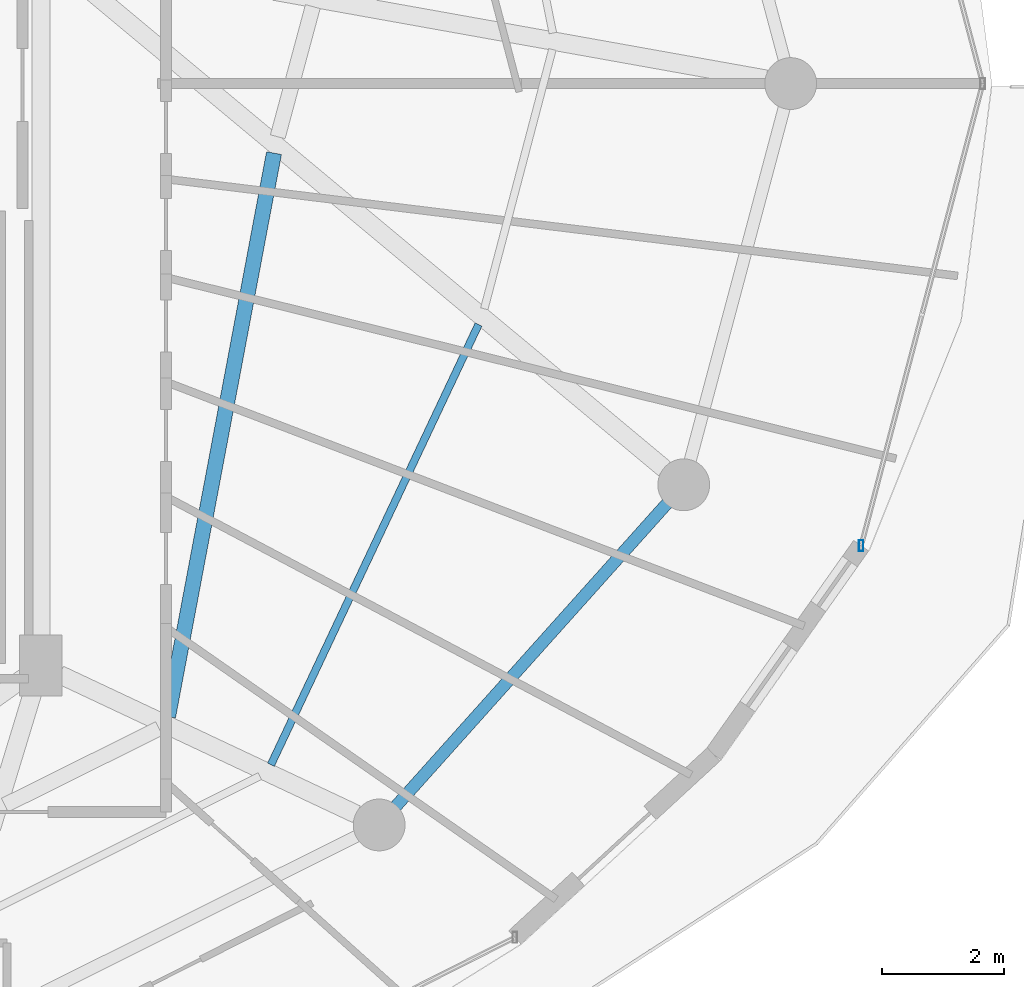
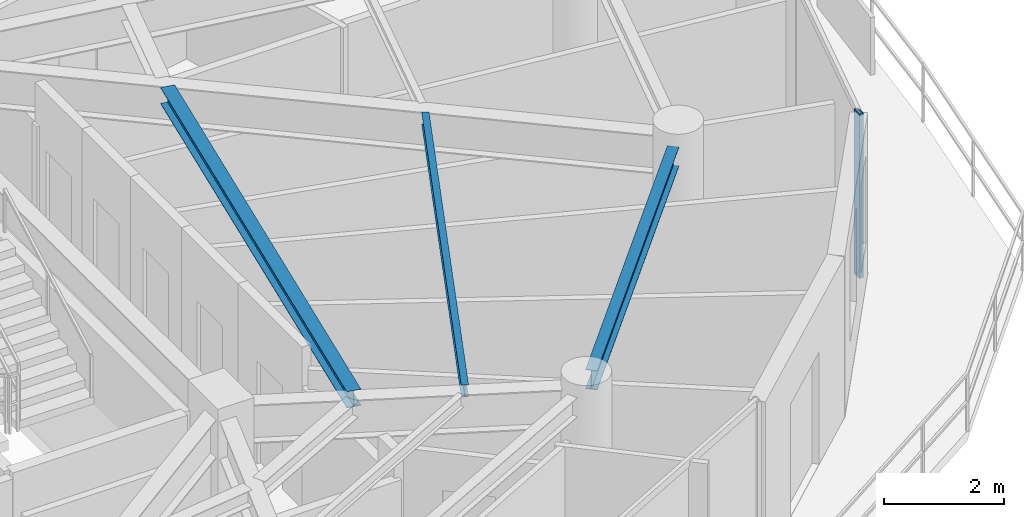
# One storey, part 12 of 29: 3 beams, 1 member, 1 element without a shape of its own.
"""IFC4 building model written with IfcOpenShell, lengths in metres."""

from ifc_helpers import new_model, si_unit, direction, frame, origin, origin_2d, place, context, subcontext, project, spatial, hollow_rectangle, i_section, extrude, material, material_profile, profile_set, type_object, element, aggregate, save


model = new_model("IFC4")

# Units and contexts
model_context = context("Model", 3, precision=1e-05, world=origin(), true_north=direction((0.0, 1.0)))
body_context = subcontext(model_context, "Body", "Model", "MODEL_VIEW")
ifc_project = project(units=[si_unit("LENGTHUNIT", "METRE"), si_unit("AREAUNIT", "SQUARE_METRE"), si_unit("VOLUMEUNIT", "CUBIC_METRE"), si_unit("PLANEANGLEUNIT", "RADIAN"), si_unit("MASSUNIT", "GRAM", prefix="KILO")], contexts=[model_context])

# Site, building, storey
site_placement = place(None, origin())
site = spatial("IfcSite", under=ifc_project, at=site_placement, CompositionType="ELEMENT")
building_placement = place(site_placement, origin())
building = spatial("IfcBuilding", under=site, at=building_placement, Name="Vorneva Point Tower", CompositionType="ELEMENT")
storey_placement = place(building_placement, frame((0.0, 0.0, 255.550048828125)))
storey = spatial("IfcBuildingStorey", under=building, at=storey_placement, Name="L69", CompositionType="ELEMENT", Elevation=255.550048828125)

# Beams
ifc_material_1 = material(Name="Steel S355", Category="steel")
ifc_material_profile_1 = material_profile(ifc_material_1, i_section(OverallWidth=0.1240234375, OverallDepth=0.248046875, WebThickness=0.0048828125, FlangeThickness=0.008056640625, at=origin_2d()), Name="25B1")
ifc_profile_set_1 = profile_set([ifc_material_profile_1], Name="Steel S355")
beam_type_1 = type_object("IfcBeamType", Name="BM-JST-25B1", PredefinedType="JOIST", material=ifc_profile_set_1)
beam_1_placement = place(storey_placement, frame((52.523681640625, 14.825927734375, 3.166015625), z_axis=(0.426534668543, 0.904471213766, 0.0), x_axis=(-0.904471213766, 0.426534668543, 0.0)))
element("IfcBeam", 1, at=beam_1_placement, inside=storey, type_object=beam_type_1, Name="L69 Secondary Floor Beam 1.15", PredefinedType="JOIST", context=body_context, shape_type="SweptSolid", body=[
    extrude(i_section(OverallWidth=0.1240234375, OverallDepth=0.248046875, WebThickness=0.0048828125, FlangeThickness=0.008056640625, at=origin_2d()), origin(), (0.0, 0.0, 1.0), 7.984130859375),
])
ifc_material_profile_2 = material_profile(ifc_material_1, i_section(OverallWidth=0.2490234375, OverallDepth=0.333984375, WebThickness=0.008056640625, FlangeThickness=0.010986328125, at=origin_2d()), Name="35Sh1")
ifc_profile_set_2 = profile_set([ifc_material_profile_2], Name="Steel S355")
beam_type_2 = type_object("IfcBeamType", Name="BM-SEC-35Sh1", PredefinedType="BEAM", material=ifc_profile_set_2)
beam_2_placement = place(storey_placement, frame((50.83544921875, 15.615966796875, 3.123046875), z_axis=(0.184830813221, 0.982770354907, 0.0), x_axis=(-0.982770354907, 0.184830813221, 0.0)))
element("IfcBeam", 2, at=beam_2_placement, inside=storey, type_object=beam_type_2, Name="L69 Secondary Floor Beam 2.15", PredefinedType="BEAM", context=body_context, shape_type="SweptSolid", body=[
    extrude(i_section(OverallWidth=0.2490234375, OverallDepth=0.333984375, WebThickness=0.008056640625, FlangeThickness=0.010986328125, at=origin_2d()), origin(), (0.0, 0.0, 1.0), 9.40478515625),
])
ifc_material_profile_3 = material_profile(ifc_material_1, i_section(OverallWidth=0.198974609375, OverallDepth=0.39599609375, WebThickness=0.007080078125, FlangeThickness=0.010986328125, at=origin_2d()), Name="40B1")
ifc_profile_set_3 = profile_set([ifc_material_profile_3], Name="Steel S355")
beam_type_3 = type_object("IfcBeamType", Name="BM-SPN-40B1", PredefinedType="SPANDREL", material=ifc_profile_set_3)
beam_3_placement = place(storey_placement, frame((54.572265625, 14.143310546875, 3.092041015625), z_axis=(0.667108282638, 0.744960763554, 0.0), x_axis=(-0.744960763554, 0.667108282638, 0.0)))
element("IfcBeam", 3, at=beam_3_placement, inside=storey, type_object=beam_type_3, Name="L69 Perimeter Spandrel Ring Beam 15", PredefinedType="SPANDREL", context=body_context, shape_type="SweptSolid", body=[
    extrude(i_section(OverallWidth=0.198974609375, OverallDepth=0.39599609375, WebThickness=0.007080078125, FlangeThickness=0.010986328125, at=origin_2d()), origin(), (0.0, 0.0, 1.0), 6.670166015625),
])

# Curtain wall, member
ifc_material_2 = material(Name="Pale anodised aluminium", Category="aluminium")
curtain_wall_type = type_object("IfcCurtainWallType", Name="CW-RES-SYS", PredefinedType="NOTDEFINED", material=ifc_material_2)
curtain_wall_placement = place(storey_placement, origin())
curtain_wall = element("IfcCurtainWall", 4, at=curtain_wall_placement, inside=storey, type_object=curtain_wall_type, Name="L69 Unitised Curtain Wall CW-L69-R01", PredefinedType="NOTDEFINED")
ifc_material_profile_4 = material_profile(ifc_material_2, hollow_rectangle(XDim=0.074951171875, YDim=0.179931640625, WallThickness=0.00390625, at=origin_2d()), Name="AL-MUL 180x75x4")
ifc_profile_set_4 = profile_set([ifc_material_profile_4], Name="Pale anodised aluminium")
member_type = type_object("IfcMemberType", Name="CW-MUL-180", PredefinedType="MULLION", material=ifc_profile_set_4)
member_placement = place(storey_placement, frame((62.20556640625, 18.4189453125, -0.0400390625), z_axis=(0.0, 0.0, 1.0), x_axis=(1.0, 0.0, 0.0)))
member = element("IfcMember", 5, at=member_placement, type_object=member_type, Name="CW-L69-R01 Mullion 01", PredefinedType="MULLION", context=body_context, shape_type="SweptSolid", body=[
    extrude(hollow_rectangle(XDim=0.074951171875, YDim=0.179931640625, WallThickness=0.00390625, at=origin_2d()), origin(), (0.0, 0.0, 1.0), 3.360107421875),
])
aggregate(curtain_wall, [member])

save(model, "model.ifc")
